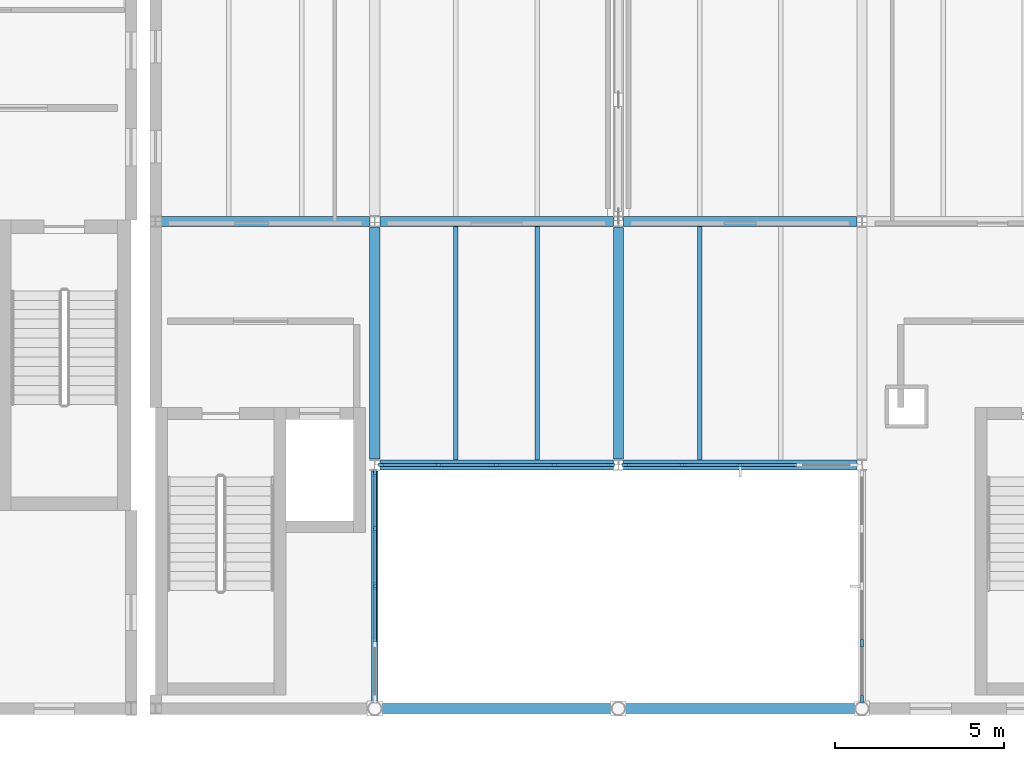
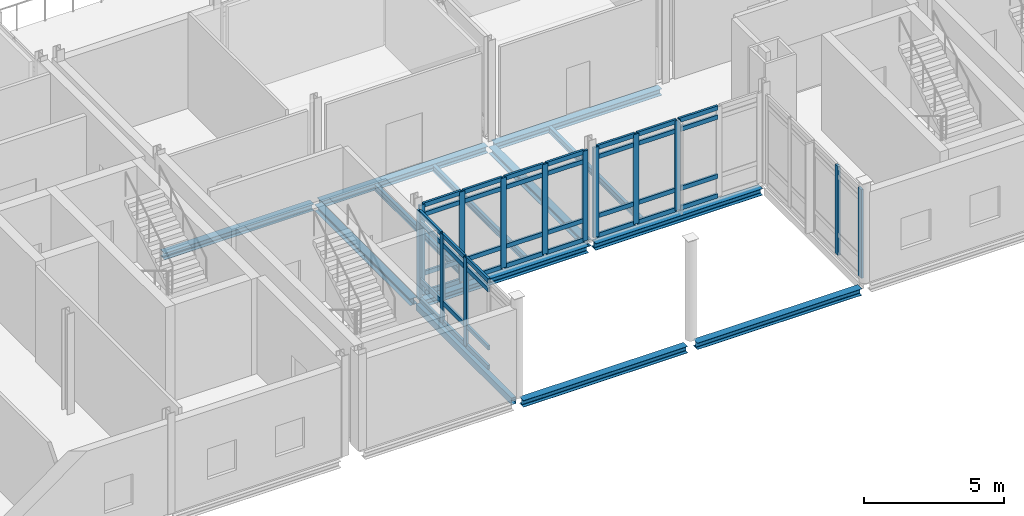
# One storey, part 9 of 53: 53 members, 13 beams, 4 elements without a shape of their own.
"""IFC4 building model written with IfcOpenShell, lengths in metres."""

from ifc_helpers import new_model, si_unit, direction, frame, origin, origin_2d, place, context, subcontext, project, spatial, rectangle, hollow_rectangle, i_section, extrude, material, layer, layer_set, material_profile, profile_set, type_object, element, aggregate, save


model = new_model("IFC4")

# Units and contexts
model_context = context("Model", 3, precision=1e-05, world=origin(), true_north=direction((0.0, 1.0)))
body_context = subcontext(model_context, "Body", "Model", "MODEL_VIEW")
ifc_project = project(units=[si_unit("LENGTHUNIT", "METRE"), si_unit("AREAUNIT", "SQUARE_METRE"), si_unit("VOLUMEUNIT", "CUBIC_METRE"), si_unit("PLANEANGLEUNIT", "RADIAN"), si_unit("MASSUNIT", "GRAM", prefix="KILO")], contexts=[model_context])

# Site, building, storey
site_placement = place(None, origin())
site = spatial("IfcSite", under=ifc_project, at=site_placement, CompositionType="ELEMENT")
building_placement = place(site_placement, origin())
building = spatial("IfcBuilding", under=site, at=building_placement, Name="Zarrinpeak Specialist Clinic", CompositionType="ELEMENT")
storey_placement = place(building_placement, frame((0.0, 0.0, 14.0)))
storey = spatial("IfcBuildingStorey", under=building, at=storey_placement, Name="L03", CompositionType="ELEMENT", Elevation=14.0)

# Beams
ifc_material_1 = material(Name="Steel S355", Category="steel")
ifc_material_profile_1 = material_profile(ifc_material_1, i_section(OverallWidth=0.300048828125, OverallDepth=0.2900390625, WebThickness=0.008544921875, FlangeThickness=0.013916015625, FilletRadius=0.027099609375, at=origin_2d()), Name="HEA 300")
ifc_profile_set_1 = profile_set([ifc_material_profile_1], Name="Steel S355")
beam_type_1 = type_object("IfcBeamType", Name="BM-HEA300", PredefinedType="BEAM", material=ifc_profile_set_1)
for number, where, z_axis, x_axis, name in (
    (1, (36.201171875, 0.0, -0.344970703125), (1.0, 0.0, 0.0), (0.0, 1.0, 0.0), "L03 Primary Floor Girder BM-L03-X1491"),
    (2, (43.401123046875, 0.0, -0.344970703125), (1.0, 0.0, 0.0), (0.0, 1.0, 0.0), "L03 Primary Floor Girder BM-L03-X1492"),
):
    element("IfcBeam", number, at=place(storey_placement, frame(where, z_axis=z_axis, x_axis=x_axis)), inside=storey, type_object=beam_type_1, Name=name, PredefinedType="BEAM", context=body_context, shape_type="SweptSolid", body=[
        extrude(i_section(OverallWidth=0.300048828125, OverallDepth=0.2900390625, WebThickness=0.008544921875, FlangeThickness=0.013916015625, FilletRadius=0.027099609375, at=origin_2d()), origin(), (0.0, 0.0, 1.0), 6.797607421875),
    ])
for number, where, z_axis, x_axis, name in (
    (3, (36.14794921875, 7.199951171875, -0.344970703125), (1.0, 0.0, 0.0), (0.0, 1.0, 0.0), "L03 Primary Floor Girder BM-L03-X1500"),
    (4, (43.347900390625, 7.199951171875, -0.344970703125), (1.0, 0.0, 0.0), (0.0, 1.0, 0.0), "L03 Primary Floor Girder BM-L03-X1501"),
):
    element("IfcBeam", number, at=place(storey_placement, frame(where, z_axis=z_axis, x_axis=x_axis)), inside=storey, type_object=beam_type_1, Name=name, PredefinedType="BEAM", context=body_context, shape_type="SweptSolid", body=[
        extrude(i_section(OverallWidth=0.300048828125, OverallDepth=0.2900390625, WebThickness=0.008544921875, FlangeThickness=0.013916015625, FilletRadius=0.027099609375, at=origin_2d()), origin(), (0.0, 0.0, 1.0), 6.904052734375),
    ])
beam_1_placement = place(storey_placement, frame((29.66796875, 14.39990234375, -0.344970703125), z_axis=(1.0, 0.0, 0.0), x_axis=(0.0, 1.0, 0.0)))
element("IfcBeam", 5, at=beam_1_placement, inside=storey, type_object=beam_type_1, Name="L03 Primary Floor Girder BM-L03-X1505", PredefinedType="BEAM", context=body_context, shape_type="SweptSolid", body=[
    extrude(i_section(OverallWidth=0.300048828125, OverallDepth=0.2900390625, WebThickness=0.008544921875, FlangeThickness=0.013916015625, FilletRadius=0.027099609375, at=origin_2d()), origin(), (0.0, 0.0, 1.0), 6.18408203125),
])
for number, where, z_axis, x_axis, name in (
    (6, (36.14794921875, 14.39990234375, -0.344970703125), (1.0, 0.0, 0.0), (0.0, 1.0, 0.0), "L03 Primary Floor Girder BM-L03-X1506"),
    (7, (43.347900390625, 14.39990234375, -0.344970703125), (1.0, 0.0, 0.0), (0.0, 1.0, 0.0), "L03 Primary Floor Girder BM-L03-X1507"),
):
    element("IfcBeam", number, at=place(storey_placement, frame(where, z_axis=z_axis, x_axis=x_axis)), inside=storey, type_object=beam_type_1, Name=name, PredefinedType="BEAM", context=body_context, shape_type="SweptSolid", body=[
        extrude(i_section(OverallWidth=0.300048828125, OverallDepth=0.2900390625, WebThickness=0.008544921875, FlangeThickness=0.013916015625, FilletRadius=0.027099609375, at=origin_2d()), origin(), (0.0, 0.0, 1.0), 6.904052734375),
    ])
for number, where, z_axis, x_axis, name in (
    (8, (36.0, 7.3779296875, -0.344970703125), (0.0, 1.0, 0.0), (-1.0, 0.0, 0.0), "L03 Primary Beam BM-L03-Y1646"),
    (9, (43.199951171875, 7.3779296875, -0.344970703125), (0.0, 1.0, 0.0), (-1.0, 0.0, 0.0), "L03 Primary Beam BM-L03-Y1652"),
):
    element("IfcBeam", number, at=place(storey_placement, frame(where, z_axis=z_axis, x_axis=x_axis)), inside=storey, type_object=beam_type_1, Name=name, PredefinedType="BEAM", context=body_context, shape_type="SweptSolid", body=[
        extrude(i_section(OverallWidth=0.300048828125, OverallDepth=0.2900390625, WebThickness=0.008544921875, FlangeThickness=0.013916015625, FilletRadius=0.027099609375, at=origin_2d()), origin(), (0.0, 0.0, 1.0), 6.843994140625),
    ])
ifc_material_profile_2 = material_profile(ifc_material_1, i_section(OverallWidth=0.135009765625, OverallDepth=0.27001953125, WebThickness=0.006591796875, FlangeThickness=0.01025390625, FilletRadius=0.014892578125, at=origin_2d()), Name="IPE 270")
ifc_profile_set_2 = profile_set([ifc_material_profile_2], Name="Steel S355")
beam_type_2 = type_object("IfcBeamType", Name="BM-JST270", PredefinedType="JOIST", material=ifc_profile_set_2)
for number, where, z_axis, x_axis, name in (
    (10, (38.39990234375, 7.347900390625, -0.3349609375), (0.0, 1.0, 0.0), (-1.0, 0.0, 0.0), "L03 Composite Floor Joist JST-L03-1739"),
    (11, (40.800048828125, 7.347900390625, -0.3349609375), (0.0, 1.0, 0.0), (-1.0, 0.0, 0.0), "L03 Composite Floor Joist JST-L03-1740"),
    (12, (45.60009765625, 7.347900390625, -0.3349609375), (0.0, 1.0, 0.0), (-1.0, 0.0, 0.0), "L03 Composite Floor Joist JST-L03-1743"),
):
    element("IfcBeam", number, at=place(storey_placement, frame(where, z_axis=z_axis, x_axis=x_axis)), inside=storey, type_object=beam_type_2, Name=name, PredefinedType="JOIST", context=body_context, shape_type="SweptSolid", body=[
        extrude(i_section(OverallWidth=0.135009765625, OverallDepth=0.27001953125, WebThickness=0.006591796875, FlangeThickness=0.01025390625, FilletRadius=0.014892578125, at=origin_2d()), origin(), (0.0, 0.0, 1.0), 6.904052734375),
    ])
ifc_material_profile_3 = material_profile(ifc_material_1, hollow_rectangle(XDim=0.199951171875, YDim=0.300048828125, WallThickness=0.012451171875, at=origin_2d()), Name="RHS 300x200x12.5")
ifc_profile_set_3 = profile_set([ifc_material_profile_3], Name="Steel S355")
beam_type_3 = type_object("IfcBeamType", Name="BM-SP300", PredefinedType="SPANDREL", material=ifc_profile_set_3)
beam_2_placement = place(storey_placement, frame((36.0, 0.201171875, -0.35009765625), z_axis=(0.0, 1.0, 0.0), x_axis=(-1.0, 0.0, 0.0)))
element("IfcBeam", 13, at=beam_2_placement, inside=storey, type_object=beam_type_3, Name="L03 Perimeter Spandrel Beam BM-L03-Y1645", PredefinedType="SPANDREL", context=body_context, shape_type="SweptSolid", body=[
    extrude(hollow_rectangle(XDim=0.199951171875, YDim=0.300048828125, WallThickness=0.012451171875, at=origin_2d()), origin(), (0.0, 0.0, 1.0), 6.82080078125),
])

# Curtain wall, members
ifc_material_2 = material(Name="Anodised Aluminium Alloy 6063-T6", Category="aluminium")
ifc_layer = layer(ifc_material_2, 0.18994140625)
ifc_layer_set = layer_set([ifc_layer], Name="Anodised Aluminium Alloy 6063-T6")
curtain_wall_type = type_object("IfcCurtainWallType", Name="CW-LOGGIA", PredefinedType="NOTDEFINED", material=ifc_layer_set)
curtain_wall_1_placement = place(storey_placement, origin())
curtain_wall_1 = element("IfcCurtainWall", 14, at=curtain_wall_1_placement, inside=storey, type_object=curtain_wall_type, Name="L03 V2 Unitised Curtain Wall CW-L03-V2-057", PredefinedType="NOTDEFINED")
ifc_material_profile_4 = material_profile(ifc_material_2, rectangle(XDim=0.090087890625, YDim=0.219970703125, at=origin_2d()), Name="ALU 90x220")
ifc_profile_set_4 = profile_set([ifc_material_profile_4], Name="Anodised Aluminium Alloy 6063-T6")
member_type_1 = type_object("IfcMemberType", Name="CWM-90", PredefinedType="MULLION", material=ifc_profile_set_4)
member_1_placement = place(storey_placement, frame((36.219970703125, 7.199951171875, 0.0), z_axis=(0.0, 0.0, 1.0), x_axis=(0.0, 1.0, 0.0)))
member_1 = element("IfcMember", 15, at=member_1_placement, type_object=member_type_1, Name="CW-04 mullion 1", PredefinedType="MULLION", context=body_context, shape_type="SweptSolid", body=[
    extrude(rectangle(XDim=0.090087890625, YDim=0.219970703125, at=origin_2d()), origin(), (0.0, 0.0, 1.0), 3.93505859375),
])
member_2_placement = place(storey_placement, frame((37.887451171875, 7.199951171875, 0.0), z_axis=(0.0, 0.0, 1.0), x_axis=(0.0, 1.0, 0.0)))
member_2 = element("IfcMember", 16, at=member_2_placement, type_object=member_type_1, Name="CW-04 mullion 2", PredefinedType="MULLION", context=body_context, shape_type="SweptSolid", body=[
    extrude(rectangle(XDim=0.090087890625, YDim=0.219970703125, at=origin_2d()), origin(), (0.0, 0.0, 1.0), 3.93505859375),
])
member_3_placement = place(storey_placement, frame((39.60009765625, 7.199951171875, 0.0), z_axis=(0.0, 0.0, 1.0), x_axis=(0.0, 1.0, 0.0)))
member_3 = element("IfcMember", 17, at=member_3_placement, type_object=member_type_1, Name="CW-04 mullion 3", PredefinedType="MULLION", context=body_context, shape_type="SweptSolid", body=[
    extrude(rectangle(XDim=0.090087890625, YDim=0.219970703125, at=origin_2d()), origin(), (0.0, 0.0, 1.0), 3.93505859375),
])
member_4_placement = place(storey_placement, frame((41.3125, 7.199951171875, 0.0), z_axis=(0.0, 0.0, 1.0), x_axis=(0.0, 1.0, 0.0)))
member_4 = element("IfcMember", 18, at=member_4_placement, type_object=member_type_1, Name="CW-04 mullion 4", PredefinedType="MULLION", context=body_context, shape_type="SweptSolid", body=[
    extrude(rectangle(XDim=0.090087890625, YDim=0.219970703125, at=origin_2d()), origin(), (0.0, 0.0, 1.0), 3.93505859375),
])
member_5_placement = place(storey_placement, frame((42.97998046875, 7.199951171875, 0.0), z_axis=(0.0, 0.0, 1.0), x_axis=(0.0, 1.0, 0.0)))
member_5 = element("IfcMember", 19, at=member_5_placement, type_object=member_type_1, Name="CW-04 mullion 5", PredefinedType="MULLION", context=body_context, shape_type="SweptSolid", body=[
    extrude(rectangle(XDim=0.090087890625, YDim=0.219970703125, at=origin_2d()), origin(), (0.0, 0.0, 1.0), 3.93505859375),
])

curtain_wall_2_placement = place(storey_placement, origin())
curtain_wall_2 = element("IfcCurtainWall", 20, at=curtain_wall_2_placement, inside=storey, type_object=curtain_wall_type, Name="L03 V2 Unitised Curtain Wall CW-L03-V2-058", PredefinedType="NOTDEFINED")
member_6_placement = place(storey_placement, frame((43.419921875, 7.199951171875, 0.0), z_axis=(0.0, 0.0, 1.0), x_axis=(0.0, 1.0, 0.0)))
member_6 = element("IfcMember", 21, at=member_6_placement, type_object=member_type_1, Name="CW-04 mullion 1", PredefinedType="MULLION", context=body_context, shape_type="SweptSolid", body=[
    extrude(rectangle(XDim=0.090087890625, YDim=0.219970703125, at=origin_2d()), origin(), (0.0, 0.0, 1.0), 3.93505859375),
])
member_7_placement = place(storey_placement, frame((45.08740234375, 7.199951171875, 0.0), z_axis=(0.0, 0.0, 1.0), x_axis=(0.0, 1.0, 0.0)))
member_7 = element("IfcMember", 22, at=member_7_placement, type_object=member_type_1, Name="CW-04 mullion 2", PredefinedType="MULLION", context=body_context, shape_type="SweptSolid", body=[
    extrude(rectangle(XDim=0.090087890625, YDim=0.219970703125, at=origin_2d()), origin(), (0.0, 0.0, 1.0), 3.93505859375),
])
member_8_placement = place(storey_placement, frame((46.800048828125, 7.199951171875, 0.0), z_axis=(0.0, 0.0, 1.0), x_axis=(0.0, 1.0, 0.0)))
member_8 = element("IfcMember", 23, at=member_8_placement, type_object=member_type_1, Name="CW-04 mullion 3", PredefinedType="MULLION", context=body_context, shape_type="SweptSolid", body=[
    extrude(rectangle(XDim=0.090087890625, YDim=0.219970703125, at=origin_2d()), origin(), (0.0, 0.0, 1.0), 3.93505859375),
])

curtain_wall_3_placement = place(storey_placement, origin())
curtain_wall_3 = element("IfcCurtainWall", 24, at=curtain_wall_3_placement, inside=storey, type_object=curtain_wall_type, Name="L03 V2 Unitised Curtain Wall CW-L03-V2-059", PredefinedType="NOTDEFINED")
member_9_placement = place(storey_placement, frame((36.0, 3.62158203125, 0.0), z_axis=(0.0, 0.0, 1.0), x_axis=(-1.0, 0.0, 0.0)))
member_9 = element("IfcMember", 25, at=member_9_placement, type_object=member_type_1, Name="CW-04 mullion 3", PredefinedType="MULLION", context=body_context, shape_type="SweptSolid", body=[
    extrude(rectangle(XDim=0.090087890625, YDim=0.219970703125, at=origin_2d()), origin(), (0.0, 0.0, 1.0), 3.885009765625),
])
member_10_placement = place(storey_placement, frame((36.0, 5.318359375, 0.0), z_axis=(0.0, 0.0, 1.0), x_axis=(-1.0, 0.0, 0.0)))
member_10 = element("IfcMember", 26, at=member_10_placement, type_object=member_type_1, Name="CW-04 mullion 4", PredefinedType="MULLION", context=body_context, shape_type="SweptSolid", body=[
    extrude(rectangle(XDim=0.090087890625, YDim=0.219970703125, at=origin_2d()), origin(), (0.0, 0.0, 1.0), 3.885009765625),
])
member_11_placement = place(storey_placement, frame((36.0, 6.969970703125, 0.0), z_axis=(0.0, 0.0, 1.0), x_axis=(-1.0, 0.0, 0.0)))
member_11 = element("IfcMember", 27, at=member_11_placement, type_object=member_type_1, Name="CW-04 mullion 5", PredefinedType="MULLION", context=body_context, shape_type="SweptSolid", body=[
    extrude(rectangle(XDim=0.090087890625, YDim=0.219970703125, at=origin_2d()), origin(), (0.0, 0.0, 1.0), 3.885009765625),
])

curtain_wall_4_placement = place(storey_placement, origin())
curtain_wall_4 = element("IfcCurtainWall", 28, at=curtain_wall_4_placement, inside=storey, type_object=curtain_wall_type, Name="L03 V2 Unitised Curtain Wall CW-L03-V2-060", PredefinedType="NOTDEFINED")
member_12_placement = place(storey_placement, frame((50.39990234375, 1.9248046875, 0.0), z_axis=(0.0, 0.0, 1.0), x_axis=(1.0, 0.0, 0.0)))
member_12 = element("IfcMember", 29, at=member_12_placement, type_object=member_type_1, Name="CW-04 mullion 4", PredefinedType="MULLION", context=body_context, shape_type="SweptSolid", body=[
    extrude(rectangle(XDim=0.090087890625, YDim=0.219970703125, at=origin_2d()), origin(), (0.0, 0.0, 1.0), 3.885009765625),
])
member_13_placement = place(storey_placement, frame((50.39990234375, 0.273193359375, 0.0), z_axis=(0.0, 0.0, 1.0), x_axis=(1.0, 0.0, 0.0)))
member_13 = element("IfcMember", 30, at=member_13_placement, type_object=member_type_1, Name="CW-04 mullion 5", PredefinedType="MULLION", context=body_context, shape_type="SweptSolid", body=[
    extrude(rectangle(XDim=0.090087890625, YDim=0.219970703125, at=origin_2d()), origin(), (0.0, 0.0, 1.0), 3.885009765625),
])
aggregate(curtain_wall_4, [member_12, member_13])

# Member
ifc_material_profile_5 = material_profile(ifc_material_2, rectangle(XDim=0.090087890625, YDim=0.18994140625, at=origin_2d()), Name="ALU 90x190")
ifc_profile_set_5 = profile_set([ifc_material_profile_5], Name="Anodised Aluminium Alloy 6063-T6")
member_type_2 = type_object("IfcMemberType", Name="CWT-90", PredefinedType="USERDEFINED", material=ifc_profile_set_5)
member_14_placement = place(storey_placement, frame((36.264892578125, 7.199951171875, 0.044921875), z_axis=(1.0, 0.0, 0.0), x_axis=(0.0, 1.0, 0.0)))
member_14 = element("IfcMember", 31, at=member_14_placement, type_object=member_type_2, Name="CW-04 transom 1.1", ObjectType="TRANSOM", PredefinedType="USERDEFINED", context=body_context, shape_type="SweptSolid", body=[
    extrude(rectangle(XDim=0.090087890625, YDim=0.18994140625, at=origin_2d()), origin(), (0.0, 0.0, 1.0), 1.57763671875),
])

member_15_placement = place(storey_placement, frame((36.264892578125, 7.199951171875, 0.89990234375), z_axis=(1.0, 0.0, 0.0), x_axis=(0.0, 1.0, 0.0)))
member_15 = element("IfcMember", 32, at=member_15_placement, type_object=member_type_2, Name="CW-04 transom 1.2", ObjectType="TRANSOM", PredefinedType="USERDEFINED", context=body_context, shape_type="SweptSolid", body=[
    extrude(rectangle(XDim=0.090087890625, YDim=0.18994140625, at=origin_2d()), origin(), (0.0, 0.0, 1.0), 1.57763671875),
])

member_16_placement = place(storey_placement, frame((36.264892578125, 7.199951171875, 3.485107421875), z_axis=(1.0, 0.0, 0.0), x_axis=(0.0, 1.0, 0.0)))
member_16 = element("IfcMember", 33, at=member_16_placement, type_object=member_type_2, Name="CW-04 transom 1.3", ObjectType="TRANSOM", PredefinedType="USERDEFINED", context=body_context, shape_type="SweptSolid", body=[
    extrude(rectangle(XDim=0.090087890625, YDim=0.18994140625, at=origin_2d()), origin(), (0.0, 0.0, 1.0), 1.57763671875),
])

member_17_placement = place(storey_placement, frame((36.264892578125, 7.199951171875, 3.889892578125), z_axis=(1.0, 0.0, 0.0), x_axis=(0.0, 1.0, 0.0)))
member_17 = element("IfcMember", 34, at=member_17_placement, type_object=member_type_2, Name="CW-04 transom 1.4", ObjectType="TRANSOM", PredefinedType="USERDEFINED", context=body_context, shape_type="SweptSolid", body=[
    extrude(rectangle(XDim=0.090087890625, YDim=0.18994140625, at=origin_2d()), origin(), (0.0, 0.0, 1.0), 1.57763671875),
])

member_18_placement = place(storey_placement, frame((37.9326171875, 7.199951171875, 0.044921875), z_axis=(1.0, 0.0, 0.0), x_axis=(0.0, 1.0, 0.0)))
member_18 = element("IfcMember", 35, at=member_18_placement, type_object=member_type_2, Name="CW-04 transom 2.1", ObjectType="TRANSOM", PredefinedType="USERDEFINED", context=body_context, shape_type="SweptSolid", body=[
    extrude(rectangle(XDim=0.090087890625, YDim=0.18994140625, at=origin_2d()), origin(), (0.0, 0.0, 1.0), 1.622314453125),
])

member_19_placement = place(storey_placement, frame((37.9326171875, 7.199951171875, 0.89990234375), z_axis=(1.0, 0.0, 0.0), x_axis=(0.0, 1.0, 0.0)))
member_19 = element("IfcMember", 36, at=member_19_placement, type_object=member_type_2, Name="CW-04 transom 2.2", ObjectType="TRANSOM", PredefinedType="USERDEFINED", context=body_context, shape_type="SweptSolid", body=[
    extrude(rectangle(XDim=0.090087890625, YDim=0.18994140625, at=origin_2d()), origin(), (0.0, 0.0, 1.0), 1.622314453125),
])

member_20_placement = place(storey_placement, frame((37.9326171875, 7.199951171875, 3.485107421875), z_axis=(1.0, 0.0, 0.0), x_axis=(0.0, 1.0, 0.0)))
member_20 = element("IfcMember", 37, at=member_20_placement, type_object=member_type_2, Name="CW-04 transom 2.3", ObjectType="TRANSOM", PredefinedType="USERDEFINED", context=body_context, shape_type="SweptSolid", body=[
    extrude(rectangle(XDim=0.090087890625, YDim=0.18994140625, at=origin_2d()), origin(), (0.0, 0.0, 1.0), 1.622314453125),
])

member_21_placement = place(storey_placement, frame((37.9326171875, 7.199951171875, 3.889892578125), z_axis=(1.0, 0.0, 0.0), x_axis=(0.0, 1.0, 0.0)))
member_21 = element("IfcMember", 38, at=member_21_placement, type_object=member_type_2, Name="CW-04 transom 2.4", ObjectType="TRANSOM", PredefinedType="USERDEFINED", context=body_context, shape_type="SweptSolid", body=[
    extrude(rectangle(XDim=0.090087890625, YDim=0.18994140625, at=origin_2d()), origin(), (0.0, 0.0, 1.0), 1.622314453125),
])

member_22_placement = place(storey_placement, frame((39.64501953125, 7.199951171875, 0.044921875), z_axis=(1.0, 0.0, 0.0), x_axis=(0.0, 1.0, 0.0)))
member_22 = element("IfcMember", 39, at=member_22_placement, type_object=member_type_2, Name="CW-04 transom 3.1", ObjectType="TRANSOM", PredefinedType="USERDEFINED", context=body_context, shape_type="SweptSolid", body=[
    extrude(rectangle(XDim=0.090087890625, YDim=0.18994140625, at=origin_2d()), origin(), (0.0, 0.0, 1.0), 1.62255859375),
])

member_23_placement = place(storey_placement, frame((39.64501953125, 7.199951171875, 0.89990234375), z_axis=(1.0, 0.0, 0.0), x_axis=(0.0, 1.0, 0.0)))
member_23 = element("IfcMember", 40, at=member_23_placement, type_object=member_type_2, Name="CW-04 transom 3.2", ObjectType="TRANSOM", PredefinedType="USERDEFINED", context=body_context, shape_type="SweptSolid", body=[
    extrude(rectangle(XDim=0.090087890625, YDim=0.18994140625, at=origin_2d()), origin(), (0.0, 0.0, 1.0), 1.62255859375),
])

member_24_placement = place(storey_placement, frame((39.64501953125, 7.199951171875, 3.485107421875), z_axis=(1.0, 0.0, 0.0), x_axis=(0.0, 1.0, 0.0)))
member_24 = element("IfcMember", 41, at=member_24_placement, type_object=member_type_2, Name="CW-04 transom 3.3", ObjectType="TRANSOM", PredefinedType="USERDEFINED", context=body_context, shape_type="SweptSolid", body=[
    extrude(rectangle(XDim=0.090087890625, YDim=0.18994140625, at=origin_2d()), origin(), (0.0, 0.0, 1.0), 1.62255859375),
])

member_25_placement = place(storey_placement, frame((39.64501953125, 7.199951171875, 3.889892578125), z_axis=(1.0, 0.0, 0.0), x_axis=(0.0, 1.0, 0.0)))
member_25 = element("IfcMember", 42, at=member_25_placement, type_object=member_type_2, Name="CW-04 transom 3.4", ObjectType="TRANSOM", PredefinedType="USERDEFINED", context=body_context, shape_type="SweptSolid", body=[
    extrude(rectangle(XDim=0.090087890625, YDim=0.18994140625, at=origin_2d()), origin(), (0.0, 0.0, 1.0), 1.62255859375),
])

member_26_placement = place(storey_placement, frame((41.357421875, 7.199951171875, 0.044921875), z_axis=(1.0, 0.0, 0.0), x_axis=(0.0, 1.0, 0.0)))
member_26 = element("IfcMember", 43, at=member_26_placement, type_object=member_type_2, Name="CW-04 transom 4.1", ObjectType="TRANSOM", PredefinedType="USERDEFINED", context=body_context, shape_type="SweptSolid", body=[
    extrude(rectangle(XDim=0.090087890625, YDim=0.18994140625, at=origin_2d()), origin(), (0.0, 0.0, 1.0), 1.57763671875),
])

member_27_placement = place(storey_placement, frame((41.357421875, 7.199951171875, 0.89990234375), z_axis=(1.0, 0.0, 0.0), x_axis=(0.0, 1.0, 0.0)))
member_27 = element("IfcMember", 44, at=member_27_placement, type_object=member_type_2, Name="CW-04 transom 4.2", ObjectType="TRANSOM", PredefinedType="USERDEFINED", context=body_context, shape_type="SweptSolid", body=[
    extrude(rectangle(XDim=0.090087890625, YDim=0.18994140625, at=origin_2d()), origin(), (0.0, 0.0, 1.0), 1.57763671875),
])

member_28_placement = place(storey_placement, frame((41.357421875, 7.199951171875, 3.485107421875), z_axis=(1.0, 0.0, 0.0), x_axis=(0.0, 1.0, 0.0)))
member_28 = element("IfcMember", 45, at=member_28_placement, type_object=member_type_2, Name="CW-04 transom 4.3", ObjectType="TRANSOM", PredefinedType="USERDEFINED", context=body_context, shape_type="SweptSolid", body=[
    extrude(rectangle(XDim=0.090087890625, YDim=0.18994140625, at=origin_2d()), origin(), (0.0, 0.0, 1.0), 1.57763671875),
])

member_29_placement = place(storey_placement, frame((41.357421875, 7.199951171875, 3.889892578125), z_axis=(1.0, 0.0, 0.0), x_axis=(0.0, 1.0, 0.0)))
member_29 = element("IfcMember", 46, at=member_29_placement, type_object=member_type_2, Name="CW-04 transom 4.4", ObjectType="TRANSOM", PredefinedType="USERDEFINED", context=body_context, shape_type="SweptSolid", body=[
    extrude(rectangle(XDim=0.090087890625, YDim=0.18994140625, at=origin_2d()), origin(), (0.0, 0.0, 1.0), 1.57763671875),
])

aggregate(curtain_wall_1, [member_1, member_2, member_3, member_4, member_5, member_14, member_15, member_16, member_17, member_18, member_19, member_20, member_21, member_22, member_23, member_24, member_25, member_26, member_27, member_28, member_29])

member_30_placement = place(storey_placement, frame((43.465087890625, 7.199951171875, 0.044921875), z_axis=(1.0, 0.0, 0.0), x_axis=(0.0, 1.0, 0.0)))
member_30 = element("IfcMember", 47, at=member_30_placement, type_object=member_type_2, Name="CW-04 transom 1.1", ObjectType="TRANSOM", PredefinedType="USERDEFINED", context=body_context, shape_type="SweptSolid", body=[
    extrude(rectangle(XDim=0.090087890625, YDim=0.18994140625, at=origin_2d()), origin(), (0.0, 0.0, 1.0), 1.577392578125),
])

member_31_placement = place(storey_placement, frame((43.465087890625, 7.199951171875, 0.89990234375), z_axis=(1.0, 0.0, 0.0), x_axis=(0.0, 1.0, 0.0)))
member_31 = element("IfcMember", 48, at=member_31_placement, type_object=member_type_2, Name="CW-04 transom 1.2", ObjectType="TRANSOM", PredefinedType="USERDEFINED", context=body_context, shape_type="SweptSolid", body=[
    extrude(rectangle(XDim=0.090087890625, YDim=0.18994140625, at=origin_2d()), origin(), (0.0, 0.0, 1.0), 1.577392578125),
])

member_32_placement = place(storey_placement, frame((43.465087890625, 7.199951171875, 3.485107421875), z_axis=(1.0, 0.0, 0.0), x_axis=(0.0, 1.0, 0.0)))
member_32 = element("IfcMember", 49, at=member_32_placement, type_object=member_type_2, Name="CW-04 transom 1.3", ObjectType="TRANSOM", PredefinedType="USERDEFINED", context=body_context, shape_type="SweptSolid", body=[
    extrude(rectangle(XDim=0.090087890625, YDim=0.18994140625, at=origin_2d()), origin(), (0.0, 0.0, 1.0), 1.577392578125),
])

member_33_placement = place(storey_placement, frame((43.465087890625, 7.199951171875, 3.889892578125), z_axis=(1.0, 0.0, 0.0), x_axis=(0.0, 1.0, 0.0)))
member_33 = element("IfcMember", 50, at=member_33_placement, type_object=member_type_2, Name="CW-04 transom 1.4", ObjectType="TRANSOM", PredefinedType="USERDEFINED", context=body_context, shape_type="SweptSolid", body=[
    extrude(rectangle(XDim=0.090087890625, YDim=0.18994140625, at=origin_2d()), origin(), (0.0, 0.0, 1.0), 1.577392578125),
])

member_34_placement = place(storey_placement, frame((45.132568359375, 7.199951171875, 0.044921875), z_axis=(1.0, 0.0, 0.0), x_axis=(0.0, 1.0, 0.0)))
member_34 = element("IfcMember", 51, at=member_34_placement, type_object=member_type_2, Name="CW-04 transom 2.1", ObjectType="TRANSOM", PredefinedType="USERDEFINED", context=body_context, shape_type="SweptSolid", body=[
    extrude(rectangle(XDim=0.090087890625, YDim=0.18994140625, at=origin_2d()), origin(), (0.0, 0.0, 1.0), 1.622314453125),
])

member_35_placement = place(storey_placement, frame((45.132568359375, 7.199951171875, 0.89990234375), z_axis=(1.0, 0.0, 0.0), x_axis=(0.0, 1.0, 0.0)))
member_35 = element("IfcMember", 52, at=member_35_placement, type_object=member_type_2, Name="CW-04 transom 2.2", ObjectType="TRANSOM", PredefinedType="USERDEFINED", context=body_context, shape_type="SweptSolid", body=[
    extrude(rectangle(XDim=0.090087890625, YDim=0.18994140625, at=origin_2d()), origin(), (0.0, 0.0, 1.0), 1.622314453125),
])

member_36_placement = place(storey_placement, frame((45.132568359375, 7.199951171875, 3.485107421875), z_axis=(1.0, 0.0, 0.0), x_axis=(0.0, 1.0, 0.0)))
member_36 = element("IfcMember", 53, at=member_36_placement, type_object=member_type_2, Name="CW-04 transom 2.3", ObjectType="TRANSOM", PredefinedType="USERDEFINED", context=body_context, shape_type="SweptSolid", body=[
    extrude(rectangle(XDim=0.090087890625, YDim=0.18994140625, at=origin_2d()), origin(), (0.0, 0.0, 1.0), 1.622314453125),
])

member_37_placement = place(storey_placement, frame((45.132568359375, 7.199951171875, 3.889892578125), z_axis=(1.0, 0.0, 0.0), x_axis=(0.0, 1.0, 0.0)))
member_37 = element("IfcMember", 54, at=member_37_placement, type_object=member_type_2, Name="CW-04 transom 2.4", ObjectType="TRANSOM", PredefinedType="USERDEFINED", context=body_context, shape_type="SweptSolid", body=[
    extrude(rectangle(XDim=0.090087890625, YDim=0.18994140625, at=origin_2d()), origin(), (0.0, 0.0, 1.0), 1.622314453125),
])

member_38_placement = place(storey_placement, frame((46.844970703125, 7.199951171875, 0.044921875), z_axis=(1.0, 0.0, 0.0), x_axis=(0.0, 1.0, 0.0)))
member_38 = element("IfcMember", 55, at=member_38_placement, type_object=member_type_2, Name="CW-04 transom 3.1", ObjectType="TRANSOM", PredefinedType="USERDEFINED", context=body_context, shape_type="SweptSolid", body=[
    extrude(rectangle(XDim=0.090087890625, YDim=0.18994140625, at=origin_2d()), origin(), (0.0, 0.0, 1.0), 1.62255859375),
])

member_39_placement = place(storey_placement, frame((46.844970703125, 7.199951171875, 0.89990234375), z_axis=(1.0, 0.0, 0.0), x_axis=(0.0, 1.0, 0.0)))
member_39 = element("IfcMember", 56, at=member_39_placement, type_object=member_type_2, Name="CW-04 transom 3.2", ObjectType="TRANSOM", PredefinedType="USERDEFINED", context=body_context, shape_type="SweptSolid", body=[
    extrude(rectangle(XDim=0.090087890625, YDim=0.18994140625, at=origin_2d()), origin(), (0.0, 0.0, 1.0), 1.62255859375),
])

member_40_placement = place(storey_placement, frame((46.844970703125, 7.199951171875, 3.485107421875), z_axis=(1.0, 0.0, 0.0), x_axis=(0.0, 1.0, 0.0)))
member_40 = element("IfcMember", 57, at=member_40_placement, type_object=member_type_2, Name="CW-04 transom 3.3", ObjectType="TRANSOM", PredefinedType="USERDEFINED", context=body_context, shape_type="SweptSolid", body=[
    extrude(rectangle(XDim=0.090087890625, YDim=0.18994140625, at=origin_2d()), origin(), (0.0, 0.0, 1.0), 1.62255859375),
])

member_41_placement = place(storey_placement, frame((46.844970703125, 7.199951171875, 3.889892578125), z_axis=(1.0, 0.0, 0.0), x_axis=(0.0, 1.0, 0.0)))
member_41 = element("IfcMember", 58, at=member_41_placement, type_object=member_type_2, Name="CW-04 transom 3.4", ObjectType="TRANSOM", PredefinedType="USERDEFINED", context=body_context, shape_type="SweptSolid", body=[
    extrude(rectangle(XDim=0.090087890625, YDim=0.18994140625, at=origin_2d()), origin(), (0.0, 0.0, 1.0), 1.62255859375),
])

aggregate(curtain_wall_2, [member_6, member_7, member_8, member_30, member_31, member_32, member_33, member_34, member_35, member_36, member_37, member_38, member_39, member_40, member_41])

member_42_placement = place(storey_placement, frame((36.0, 1.969970703125, 0.044921875), z_axis=(0.0, 1.0, 0.0), x_axis=(-1.0, 0.0, 0.0)))
member_42 = element("IfcMember", 59, at=member_42_placement, type_object=member_type_2, Name="CW-04 transom 2.1", ObjectType="TRANSOM", PredefinedType="USERDEFINED", context=body_context, shape_type="SweptSolid", body=[
    extrude(rectangle(XDim=0.090087890625, YDim=0.18994140625, at=origin_2d()), origin(), (0.0, 0.0, 1.0), 1.606689453125),
])

member_43_placement = place(storey_placement, frame((36.0, 1.969970703125, 0.89990234375), z_axis=(0.0, 1.0, 0.0), x_axis=(-1.0, 0.0, 0.0)))
member_43 = element("IfcMember", 60, at=member_43_placement, type_object=member_type_2, Name="CW-04 transom 2.2", ObjectType="TRANSOM", PredefinedType="USERDEFINED", context=body_context, shape_type="SweptSolid", body=[
    extrude(rectangle(XDim=0.090087890625, YDim=0.18994140625, at=origin_2d()), origin(), (0.0, 0.0, 1.0), 1.606689453125),
])

member_44_placement = place(storey_placement, frame((36.0, 1.969970703125, 3.43505859375), z_axis=(0.0, 1.0, 0.0), x_axis=(-1.0, 0.0, 0.0)))
member_44 = element("IfcMember", 61, at=member_44_placement, type_object=member_type_2, Name="CW-04 transom 2.3", ObjectType="TRANSOM", PredefinedType="USERDEFINED", context=body_context, shape_type="SweptSolid", body=[
    extrude(rectangle(XDim=0.090087890625, YDim=0.18994140625, at=origin_2d()), origin(), (0.0, 0.0, 1.0), 1.606689453125),
])

member_45_placement = place(storey_placement, frame((36.0, 1.969970703125, 3.840087890625), z_axis=(0.0, 1.0, 0.0), x_axis=(-1.0, 0.0, 0.0)))
member_45 = element("IfcMember", 62, at=member_45_placement, type_object=member_type_2, Name="CW-04 transom 2.4", ObjectType="TRANSOM", PredefinedType="USERDEFINED", context=body_context, shape_type="SweptSolid", body=[
    extrude(rectangle(XDim=0.090087890625, YDim=0.18994140625, at=origin_2d()), origin(), (0.0, 0.0, 1.0), 1.606689453125),
])

member_46_placement = place(storey_placement, frame((36.0, 3.66650390625, 0.044921875), z_axis=(0.0, 1.0, 0.0), x_axis=(-1.0, 0.0, 0.0)))
member_46 = element("IfcMember", 63, at=member_46_placement, type_object=member_type_2, Name="CW-04 transom 3.1", ObjectType="TRANSOM", PredefinedType="USERDEFINED", context=body_context, shape_type="SweptSolid", body=[
    extrude(rectangle(XDim=0.090087890625, YDim=0.18994140625, at=origin_2d()), origin(), (0.0, 0.0, 1.0), 1.606689453125),
])

member_47_placement = place(storey_placement, frame((36.0, 3.66650390625, 0.89990234375), z_axis=(0.0, 1.0, 0.0), x_axis=(-1.0, 0.0, 0.0)))
member_47 = element("IfcMember", 64, at=member_47_placement, type_object=member_type_2, Name="CW-04 transom 3.2", ObjectType="TRANSOM", PredefinedType="USERDEFINED", context=body_context, shape_type="SweptSolid", body=[
    extrude(rectangle(XDim=0.090087890625, YDim=0.18994140625, at=origin_2d()), origin(), (0.0, 0.0, 1.0), 1.606689453125),
])

member_48_placement = place(storey_placement, frame((36.0, 3.66650390625, 3.43505859375), z_axis=(0.0, 1.0, 0.0), x_axis=(-1.0, 0.0, 0.0)))
member_48 = element("IfcMember", 65, at=member_48_placement, type_object=member_type_2, Name="CW-04 transom 3.3", ObjectType="TRANSOM", PredefinedType="USERDEFINED", context=body_context, shape_type="SweptSolid", body=[
    extrude(rectangle(XDim=0.090087890625, YDim=0.18994140625, at=origin_2d()), origin(), (0.0, 0.0, 1.0), 1.606689453125),
])

member_49_placement = place(storey_placement, frame((36.0, 3.66650390625, 3.840087890625), z_axis=(0.0, 1.0, 0.0), x_axis=(-1.0, 0.0, 0.0)))
member_49 = element("IfcMember", 66, at=member_49_placement, type_object=member_type_2, Name="CW-04 transom 3.4", ObjectType="TRANSOM", PredefinedType="USERDEFINED", context=body_context, shape_type="SweptSolid", body=[
    extrude(rectangle(XDim=0.090087890625, YDim=0.18994140625, at=origin_2d()), origin(), (0.0, 0.0, 1.0), 1.606689453125),
])

member_50_placement = place(storey_placement, frame((36.0, 5.36328125, 0.044921875), z_axis=(0.0, 1.0, 0.0), x_axis=(-1.0, 0.0, 0.0)))
member_50 = element("IfcMember", 67, at=member_50_placement, type_object=member_type_2, Name="CW-04 transom 4.1", ObjectType="TRANSOM", PredefinedType="USERDEFINED", context=body_context, shape_type="SweptSolid", body=[
    extrude(rectangle(XDim=0.090087890625, YDim=0.18994140625, at=origin_2d()), origin(), (0.0, 0.0, 1.0), 1.561767578125),
])

member_51_placement = place(storey_placement, frame((36.0, 5.36328125, 0.89990234375), z_axis=(0.0, 1.0, 0.0), x_axis=(-1.0, 0.0, 0.0)))
member_51 = element("IfcMember", 68, at=member_51_placement, type_object=member_type_2, Name="CW-04 transom 4.2", ObjectType="TRANSOM", PredefinedType="USERDEFINED", context=body_context, shape_type="SweptSolid", body=[
    extrude(rectangle(XDim=0.090087890625, YDim=0.18994140625, at=origin_2d()), origin(), (0.0, 0.0, 1.0), 1.561767578125),
])

member_52_placement = place(storey_placement, frame((36.0, 5.36328125, 3.43505859375), z_axis=(0.0, 1.0, 0.0), x_axis=(-1.0, 0.0, 0.0)))
member_52 = element("IfcMember", 69, at=member_52_placement, type_object=member_type_2, Name="CW-04 transom 4.3", ObjectType="TRANSOM", PredefinedType="USERDEFINED", context=body_context, shape_type="SweptSolid", body=[
    extrude(rectangle(XDim=0.090087890625, YDim=0.18994140625, at=origin_2d()), origin(), (0.0, 0.0, 1.0), 1.561767578125),
])

member_53_placement = place(storey_placement, frame((36.0, 5.36328125, 3.840087890625), z_axis=(0.0, 1.0, 0.0), x_axis=(-1.0, 0.0, 0.0)))
member_53 = element("IfcMember", 70, at=member_53_placement, type_object=member_type_2, Name="CW-04 transom 4.4", ObjectType="TRANSOM", PredefinedType="USERDEFINED", context=body_context, shape_type="SweptSolid", body=[
    extrude(rectangle(XDim=0.090087890625, YDim=0.18994140625, at=origin_2d()), origin(), (0.0, 0.0, 1.0), 1.561767578125),
])

aggregate(curtain_wall_3, [member_9, member_10, member_11, member_42, member_43, member_44, member_45, member_46, member_47, member_48, member_49, member_50, member_51, member_52, member_53])

save(model, "model.ifc")
